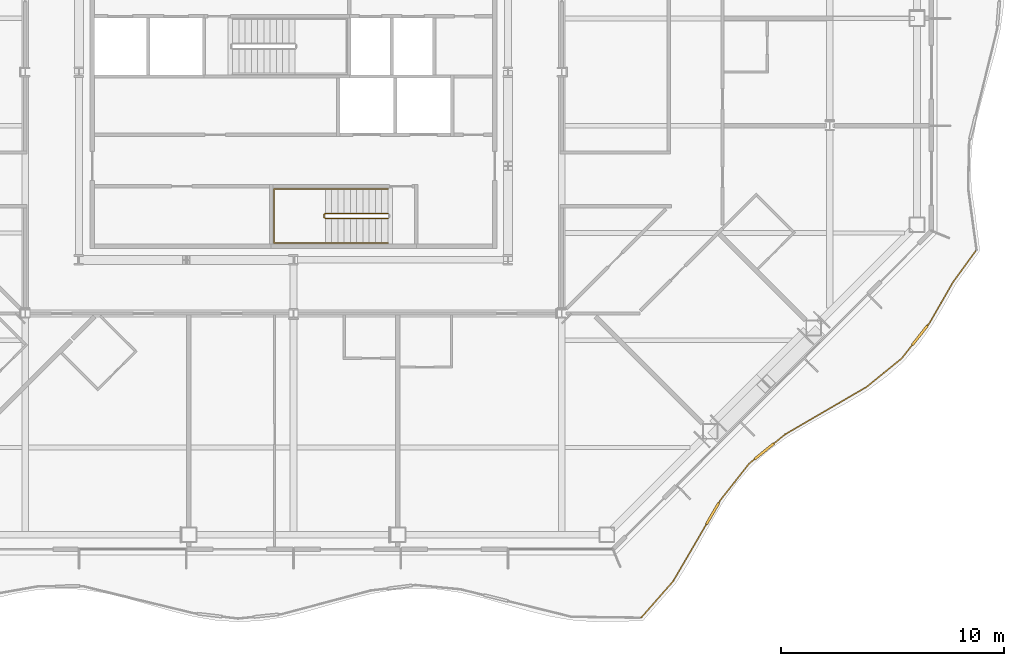
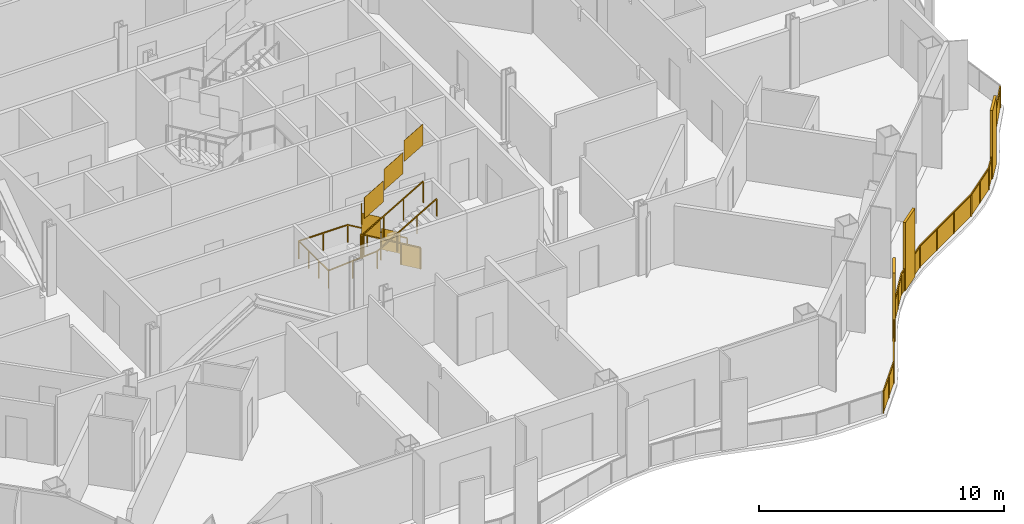
# One storey, part 18 of 22: 3 railings.
"""IFC4 building model written with IfcOpenShell, lengths in metres."""

from ifc_helpers import new_model, si_unit, direction, frame, origin, origin_2d, place, context, subcontext, project, spatial, polyline, rectangle, outline, extrude, material, type_object, element, save


model = new_model("IFC4")

# Units and contexts
model_context = context("Model", 3, precision=1e-05, world=origin(), true_north=direction((0.0, 1.0)))
body_context = subcontext(model_context, "Body", "Model", "MODEL_VIEW")
ifc_project = project(units=[si_unit("LENGTHUNIT", "METRE"), si_unit("AREAUNIT", "SQUARE_METRE"), si_unit("VOLUMEUNIT", "CUBIC_METRE"), si_unit("PLANEANGLEUNIT", "RADIAN"), si_unit("MASSUNIT", "GRAM", prefix="KILO")], contexts=[model_context])

# Site, building, storey
site_placement = place(None, origin())
site = spatial("IfcSite", under=ifc_project, at=site_placement, CompositionType="ELEMENT")
building_placement = place(site_placement, origin())
building = spatial("IfcBuilding", under=site, at=building_placement, Name="Cairn Pilgrim Tower", CompositionType="ELEMENT")
storey_placement = place(building_placement, frame((0.0, 0.0, 147.0)))
storey = spatial("IfcBuildingStorey", under=building, at=storey_placement, Name="L36", CompositionType="ELEMENT", Elevation=147.0)

# Railings
ifc_material_1 = material(Name="Bronze anodised aluminium rail, posts and fin screens with laminated glass infill", Category="aluminium")
railing_type_1 = type_object("IfcRailingType", Name="BALCONY GUARD WITH FIN SCREENS", PredefinedType="GUARDRAIL", material=ifc_material_1)
railing_1_placement = place(storey_placement, frame((22.76025390625, -22.012451171875, 0.0)))
element("IfcRailing", 1, at=railing_1_placement, inside=storey, type_object=railing_type_1, Name="Balcony guard BGF-2 with fin screens", PredefinedType="GUARDRAIL", context=body_context, shape_type="SweptSolid", body=[
    extrude(rectangle(XDim=0.050048828125, YDim=0.050048828125, at=origin_2d()), frame((0.0, 0.0, 1.0751953125), z_axis=(0.659580797082, 0.751633668831, 0.0), x_axis=(-0.751633668831, 0.659580797082, 0.0)), (0.0, 0.0, 1.0), 2.166748046875),
    extrude(rectangle(XDim=1.10009765625, YDim=0.110107421875, at=origin_2d()), frame((3.1953125, 4.65966796875, 0.0), z_axis=(0.0, 0.0, 1.0), x_axis=(0.503456143513, 0.864020781902, 0.0)), (0.0, 0.0, 1.0), 3.39990234375),
    extrude(rectangle(XDim=0.050048828125, YDim=0.050048828125, at=origin_2d()), frame((1.42919921875, 1.628662109375, 1.0751953125), z_axis=(0.503456143513, 0.864020781902, 0.0), x_axis=(-0.864020781902, 0.503456143513, 0.0)), (0.0, 0.0, 1.0), 2.9580078125),
    extrude(rectangle(XDim=0.050048828125, YDim=0.050048828125, at=origin_2d()), frame((3.47216796875, 5.135009765625, 1.0751953125), z_axis=(0.503456143513, 0.864020781902, 0.0), x_axis=(-0.864020781902, 0.503456143513, 0.0)), (0.0, 0.0, 1.0), 0.150146484375),
    extrude(rectangle(XDim=0.050048828125, YDim=0.050048828125, at=origin_2d()), frame((3.5478515625, 5.2646484375, 1.0751953125), z_axis=(0.61848552163, 0.785796194655, 0.0), x_axis=(-0.785796194655, 0.61848552163, 0.0)), (0.0, 0.0, 1.0), 2.077880859375),
    extrude(rectangle(XDim=1.10009765625, YDim=0.110107421875, at=origin_2d()), frame((5.5078125, 7.445068359375, 0.0), z_axis=(0.0, 0.0, 1.0), x_axis=(0.77651313129, 0.630101068825, 0.0)), (0.0, 0.0, 1.0), 3.39990234375),
    extrude(rectangle(XDim=0.050048828125, YDim=0.050048828125, at=origin_2d()), frame((4.8330078125, 6.8974609375, 1.0751953125), z_axis=(0.77651313129, 0.630101068825, 0.0), x_axis=(-0.630101068825, 0.77651313129, 0.0)), (0.0, 0.0, 1.0), 0.31884765625),
    extrude(rectangle(XDim=0.050048828125, YDim=0.050048828125, at=origin_2d()), frame((5.934814453125, 7.79150390625, 1.0751953125), z_axis=(0.77651313129, 0.630101068825, 0.0), x_axis=(-0.630101068825, 0.77651313129, 0.0)), (0.0, 0.0, 1.0), 0.656982421875),
    extrude(rectangle(XDim=0.050048828125, YDim=0.050048828125, at=origin_2d()), frame((6.445068359375, 8.20556640625, 1.0751953125), z_axis=(0.864224185594, 0.503106904181, 0.0), x_axis=(-0.503106904181, 0.864224185594, 0.0)), (0.0, 0.0, 1.0), 4.212646484375),
    extrude(rectangle(XDim=0.050048828125, YDim=0.050048828125, at=origin_2d()), frame((10.085693359375, 10.324951171875, 1.0751953125), z_axis=(0.776472672195, 0.630150925838, 0.0), x_axis=(-0.630150925838, 0.776472672195, 0.0)), (0.0, 0.0, 1.0), 2.018798828125),
    extrude(rectangle(XDim=1.10009765625, YDim=0.110107421875, at=origin_2d()), frame((12.468017578125, 12.63232421875, 0.0), z_axis=(0.0, 0.0, 1.0), x_axis=(0.618391582982, 0.785870122919, 0.0)), (0.0, 0.0, 1.0), 3.39990234375),
    extrude(rectangle(XDim=0.050048828125, YDim=0.050048828125, at=origin_2d()), frame((11.6533203125, 11.59716796875, 1.0751953125), z_axis=(0.618391582982, 0.785870122919, 0.0), x_axis=(-0.785870122919, 0.618391582982, 0.0)), (0.0, 0.0, 1.0), 0.767333984375),
    extrude(rectangle(XDim=0.050048828125, YDim=0.050048828125, at=origin_2d()), frame((12.80810546875, 13.064697265625, 1.0751953125), z_axis=(0.618391582982, 0.785870122919, 0.0), x_axis=(-0.785870122919, 0.618391582982, 0.0)), (0.0, 0.0, 1.0), 0.156005859375),
    extrude(rectangle(XDim=0.050048828125, YDim=0.050048828125, at=origin_2d()), frame((12.904541015625, 13.187255859375, 1.0751953125), z_axis=(0.498246823392, 0.86703523745, 0.0), x_axis=(-0.86703523745, 0.498246823392, 0.0)), (0.0, 0.0, 1.0), 2.1064453125),
    extrude(rectangle(XDim=0.050048828125, YDim=0.050048828125, at=origin_2d()), frame((13.9541015625, 15.013671875, 1.0751953125), z_axis=(0.587438684493, 0.809268677239, 0.0), x_axis=(-0.809268677239, 0.587438684493, 0.0)), (0.0, 0.0, 1.0), 1.723388671875),
    extrude(rectangle(XDim=0.050048828125, YDim=0.050048828125, at=origin_2d()), origin(), (0.0, 0.0, 1.0), 1.050048828125),
    extrude(rectangle(XDim=0.050048828125, YDim=0.050048828125, at=origin_2d()), frame((0.714599609375, 0.814453125, 0.0)), (0.0, 0.0, 1.0), 1.050048828125),
    extrude(rectangle(XDim=0.050048828125, YDim=0.050048828125, at=origin_2d()), frame((1.42919921875, 1.628662109375, 0.0)), (0.0, 0.0, 1.0), 1.050048828125),
    extrude(rectangle(XDim=0.050048828125, YDim=0.050048828125, at=origin_2d()), frame((2.16748046875, 2.895751953125, 0.0)), (0.0, 0.0, 1.0), 1.050048828125),
    extrude(rectangle(XDim=0.050048828125, YDim=0.050048828125, at=origin_2d()), frame((2.90576171875, 4.162841796875, 0.0)), (0.0, 0.0, 1.0), 1.050048828125),
    extrude(rectangle(XDim=0.050048828125, YDim=0.050048828125, at=origin_2d()), frame((3.48486328125, 5.156494140625, 0.0)), (0.0, 0.0, 1.0), 1.050048828125),
    extrude(rectangle(XDim=0.050048828125, YDim=0.050048828125, at=origin_2d()), frame((3.5478515625, 5.2646484375, 0.0)), (0.0, 0.0, 1.0), 1.050048828125),
    extrude(rectangle(XDim=0.050048828125, YDim=0.050048828125, at=origin_2d()), frame((4.1904296875, 6.0810546875, 0.0)), (0.0, 0.0, 1.0), 1.050048828125),
    extrude(rectangle(XDim=0.050048828125, YDim=0.050048828125, at=origin_2d()), frame((4.8330078125, 6.8974609375, 0.0)), (0.0, 0.0, 1.0), 1.050048828125),
    extrude(rectangle(XDim=0.050048828125, YDim=0.050048828125, at=origin_2d()), frame((5.061279296875, 7.082763671875, 0.0)), (0.0, 0.0, 1.0), 1.050048828125),
    extrude(rectangle(XDim=0.050048828125, YDim=0.050048828125, at=origin_2d()), frame((5.954345703125, 7.807373046875, 0.0)), (0.0, 0.0, 1.0), 1.050048828125),
    extrude(rectangle(XDim=0.050048828125, YDim=0.050048828125, at=origin_2d()), frame((6.445068359375, 8.20556640625, 0.0)), (0.0, 0.0, 1.0), 1.050048828125),
    extrude(rectangle(XDim=0.050048828125, YDim=0.050048828125, at=origin_2d()), frame((7.65869140625, 8.912109375, 0.0)), (0.0, 0.0, 1.0), 1.050048828125),
    extrude(rectangle(XDim=0.050048828125, YDim=0.050048828125, at=origin_2d()), frame((8.8720703125, 9.618408203125, 0.0)), (0.0, 0.0, 1.0), 1.050048828125),
    extrude(rectangle(XDim=0.050048828125, YDim=0.050048828125, at=origin_2d()), frame((10.085693359375, 10.324951171875, 0.0)), (0.0, 0.0, 1.0), 1.050048828125),
    extrude(rectangle(XDim=0.050048828125, YDim=0.050048828125, at=origin_2d()), frame((10.86962890625, 10.9609375, 0.0)), (0.0, 0.0, 1.0), 1.050048828125),
    extrude(rectangle(XDim=0.050048828125, YDim=0.050048828125, at=origin_2d()), frame((11.6533203125, 11.59716796875, 0.0)), (0.0, 0.0, 1.0), 1.050048828125),
    extrude(rectangle(XDim=0.050048828125, YDim=0.050048828125, at=origin_2d()), frame((12.1123046875, 12.180419921875, 0.0)), (0.0, 0.0, 1.0), 1.050048828125),
    extrude(rectangle(XDim=0.050048828125, YDim=0.050048828125, at=origin_2d()), frame((12.823486328125, 13.084228515625, 0.0)), (0.0, 0.0, 1.0), 1.050048828125),
    extrude(rectangle(XDim=0.050048828125, YDim=0.050048828125, at=origin_2d()), frame((12.904541015625, 13.187255859375, 0.0)), (0.0, 0.0, 1.0), 1.050048828125),
    extrude(rectangle(XDim=0.050048828125, YDim=0.050048828125, at=origin_2d()), frame((13.42919921875, 14.1005859375, 0.0)), (0.0, 0.0, 1.0), 1.050048828125),
    extrude(rectangle(XDim=0.050048828125, YDim=0.050048828125, at=origin_2d()), frame((13.9541015625, 15.013671875, 0.0)), (0.0, 0.0, 1.0), 1.050048828125),
    extrude(rectangle(XDim=0.050048828125, YDim=0.050048828125, at=origin_2d()), frame((14.966552734375, 16.408447265625, 0.0)), (0.0, 0.0, 1.0), 1.050048828125),
    extrude(outline(polyline([(0.02490234375, 0.0), (1.058349609375, 0.0), (1.058349609375, 1.050048828125), (0.02490234375, 1.050048828125), (0.02490234375, 0.0)])), frame((-0.00439453125, 0.00390625, 0.0), z_axis=(0.751633668831, -0.659580797082, 0.0), x_axis=(0.659580797082, 0.751633668831, 0.0)), (0.0, 0.0, 1.0), 0.011962890625),
    extrude(outline(polyline([(0.02490234375, 0.0), (1.058349609375, 0.0), (1.058349609375, 1.050048828125), (0.02490234375, 1.050048828125), (0.02490234375, 0.0)])), frame((0.710205078125, 0.818359375, 0.0), z_axis=(0.751633668831, -0.659580797082, 0.0), x_axis=(0.659580797082, 0.751633668831, 0.0)), (0.0, 0.0, 1.0), 0.011962890625),
    extrude(outline(polyline([(0.02490234375, 0.0), (1.44140625, 0.0), (1.44140625, 1.050048828125), (0.02490234375, 1.050048828125), (0.02490234375, 0.0)])), frame((1.424072265625, 1.631591796875, 0.0), z_axis=(0.864020781902, -0.503456143513, 0.0), x_axis=(0.503456143513, 0.864020781902, 0.0)), (0.0, 0.0, 1.0), 0.011962890625),
    extrude(outline(polyline([(0.02490234375, 0.0), (1.44140625, 0.0), (1.44140625, 1.050048828125), (0.02490234375, 1.050048828125), (0.02490234375, 0.0)])), frame((2.162353515625, 2.898681640625, 0.0), z_axis=(0.864020781902, -0.503456143513, 0.0), x_axis=(0.503456143513, 0.864020781902, 0.0)), (0.0, 0.0, 1.0), 0.011962890625),
    extrude(outline(polyline([(0.02490234375, 0.0), (0.10009765625, 0.0), (0.10009765625, 1.050048828125), (0.02490234375, 1.050048828125), (0.02490234375, 0.0)])), frame((3.479736328125, 5.15966796875, 0.0), z_axis=(0.864020781902, -0.503456143513, 0.0), x_axis=(0.503456143513, 0.864020781902, 0.0)), (0.0, 0.0, 1.0), 0.011962890625),
    extrude(outline(polyline([(0.02490234375, 0.0), (1.013916015625, 0.0), (1.013916015625, 1.050048828125), (0.02490234375, 1.050048828125), (0.02490234375, 0.0)])), frame((3.543212890625, 5.268310546875, 0.0), z_axis=(0.785796194655, -0.61848552163, 0.0), x_axis=(0.61848552163, 0.785796194655, 0.0)), (0.0, 0.0, 1.0), 0.011962890625),
    extrude(outline(polyline([(0.02490234375, 0.0), (1.013916015625, 0.0), (1.013916015625, 1.050048828125), (0.02490234375, 1.050048828125), (0.02490234375, 0.0)])), frame((4.185791015625, 6.084716796875, 0.0), z_axis=(0.785796194655, -0.61848552163, 0.0), x_axis=(0.61848552163, 0.785796194655, 0.0)), (0.0, 0.0, 1.0), 0.011962890625),
    extrude(outline(polyline([(0.02490234375, 0.0), (0.268798828125, 0.0), (0.268798828125, 1.050048828125), (0.02490234375, 1.050048828125), (0.02490234375, 0.0)])), frame((4.829345703125, 6.902099609375, 0.0), z_axis=(0.630101068825, -0.77651313129, 0.0), x_axis=(0.77651313129, 0.630101068825, 0.0)), (0.0, 0.0, 1.0), 0.011962890625),
    extrude(outline(polyline([(0.02490234375, 0.0), (0.60693359375, 0.0), (0.60693359375, 1.050048828125), (0.02490234375, 1.050048828125), (0.02490234375, 0.0)])), frame((5.950439453125, 7.81201171875, 0.0), z_axis=(0.630101068825, -0.77651313129, 0.0), x_axis=(0.77651313129, 0.630101068825, 0.0)), (0.0, 0.0, 1.0), 0.011962890625),
    extrude(outline(polyline([(0.02490234375, 0.0), (1.379150390625, 0.0), (1.379150390625, 1.050048828125), (0.02490234375, 1.050048828125), (0.02490234375, 0.0)])), frame((6.442138671875, 8.210693359375, 0.0), z_axis=(0.503106904181, -0.864224185594, 0.0), x_axis=(0.864224185594, 0.503106904181, 0.0)), (0.0, 0.0, 1.0), 0.011962890625),
    extrude(outline(polyline([(0.02490234375, 0.0), (1.379150390625, 0.0), (1.379150390625, 1.050048828125), (0.02490234375, 1.050048828125), (0.02490234375, 0.0)])), frame((7.655517578125, 8.917236328125, 0.0), z_axis=(0.503106904181, -0.864224185594, 0.0), x_axis=(0.864224185594, 0.503106904181, 0.0)), (0.0, 0.0, 1.0), 0.011962890625),
    extrude(outline(polyline([(0.02490234375, 0.0), (1.379150390625, 0.0), (1.379150390625, 1.050048828125), (0.02490234375, 1.050048828125), (0.02490234375, 0.0)])), frame((8.869140625, 9.623779296875, 0.0), z_axis=(0.503106904181, -0.864224185594, 0.0), x_axis=(0.864224185594, 0.503106904181, 0.0)), (0.0, 0.0, 1.0), 0.011962890625),
    extrude(outline(polyline([(0.02490234375, 0.0), (0.984375, 0.0), (0.984375, 1.050048828125), (0.02490234375, 1.050048828125), (0.02490234375, 0.0)])), frame((10.08203125, 10.32958984375, 0.0), z_axis=(0.630150925838, -0.776472672195, 0.0), x_axis=(0.776472672195, 0.630150925838, 0.0)), (0.0, 0.0, 1.0), 0.011962890625),
    extrude(outline(polyline([(0.02490234375, 0.0), (0.984375, 0.0), (0.984375, 1.050048828125), (0.02490234375, 1.050048828125), (0.02490234375, 0.0)])), frame((10.86572265625, 10.9658203125, 0.0), z_axis=(0.630150925838, -0.776472672195, 0.0), x_axis=(0.776472672195, 0.630150925838, 0.0)), (0.0, 0.0, 1.0), 0.011962890625),
    extrude(outline(polyline([(0.02490234375, 0.0), (0.71728515625, 0.0), (0.71728515625, 1.050048828125), (0.02490234375, 1.050048828125), (0.02490234375, 0.0)])), frame((11.648681640625, 11.600830078125, 0.0), z_axis=(0.785870122919, -0.618391582982, 0.0), x_axis=(0.618391582982, 0.785870122919, 0.0)), (0.0, 0.0, 1.0), 0.011962890625),
    extrude(outline(polyline([(0.02490234375, 0.0), (0.10595703125, 0.0), (0.10595703125, 1.050048828125), (0.02490234375, 1.050048828125), (0.02490234375, 0.0)])), frame((12.81884765625, 13.087890625, 0.0), z_axis=(0.785870122919, -0.618391582982, 0.0), x_axis=(0.618391582982, 0.785870122919, 0.0)), (0.0, 0.0, 1.0), 0.011962890625),
    extrude(outline(polyline([(0.02490234375, 0.0), (1.0283203125, 0.0), (1.0283203125, 1.050048828125), (0.02490234375, 1.050048828125), (0.02490234375, 0.0)])), frame((12.8994140625, 13.190185546875, 0.0), z_axis=(0.86703523745, -0.498246823392, 0.0), x_axis=(0.498246823392, 0.86703523745, 0.0)), (0.0, 0.0, 1.0), 0.011962890625),
    extrude(outline(polyline([(0.02490234375, 0.0), (1.0283203125, 0.0), (1.0283203125, 1.050048828125), (0.02490234375, 1.050048828125), (0.02490234375, 0.0)])), frame((13.424072265625, 14.103515625, 0.0), z_axis=(0.86703523745, -0.498246823392, 0.0), x_axis=(0.498246823392, 0.86703523745, 0.0)), (0.0, 0.0, 1.0), 0.011962890625),
    extrude(outline(polyline([(0.02490234375, 0.0), (1.698486328125, 0.0), (1.698486328125, 1.050048828125), (0.02490234375, 1.050048828125), (0.02490234375, 0.0)])), frame((13.94921875, 15.01708984375, 0.0), z_axis=(0.809268677239, -0.587438684493, 0.0), x_axis=(0.587438684493, 0.809268677239, 0.0)), (0.0, 0.0, 1.0), 0.011962890625),
])
ifc_material_2 = material(Name="Painted steel", Category="steel")
railing_type_2 = type_object("IfcRailingType", Name="STAIR GUARD 1100", PredefinedType="GUARDRAIL", material=ifc_material_2)
railing_2_placement = place(storey_placement, frame((11.425048828125, -3.925048828125, 0.16357421875)))
element("IfcRailing", 2, at=railing_2_placement, inside=storey, type_object=railing_type_2, Name="L36 ST-A stair guard 1", PredefinedType="GUARDRAIL", context=body_context, shape_type="SweptSolid", body=[
    extrude(rectangle(XDim=0.048095703125, YDim=0.048095703125, at=origin_2d()), frame((0.0, 0.0, 1.076171875), z_axis=(-0.863360870873, 0.0, 0.504586966384), x_axis=(0.0, -1.0, 0.0)), (0.0, 0.0, 1.0), 3.2431640625),
    extrude(rectangle(XDim=0.048095703125, YDim=0.048095703125, at=origin_2d()), frame((-2.800048828125, 0.0, 2.71240234375), z_axis=(-0.707106781187, -0.707106781187, 0.0), x_axis=(0.707106781187, -0.707106781187, 0.0)), (0.0, 0.0, 1.0), 0.07080078125),
    extrude(rectangle(XDim=0.048095703125, YDim=0.048095703125, at=origin_2d()), frame((-2.85009765625, -0.050048828125, 2.71240234375), z_axis=(0.0, -1.0, 0.0), x_axis=(1.0, 0.0, 0.0)), (0.0, 0.0, 1.0), 0.125),
    extrude(rectangle(XDim=0.048095703125, YDim=0.048095703125, at=origin_2d()), frame((-2.85009765625, -0.175048828125, 2.71240234375), z_axis=(0.280916556609, -0.279546231943, 0.91811752648), x_axis=(0.705375805398, 0.708833529934, 0.0)), (0.0, 0.0, 1.0), 0.17822265625),
    extrude(rectangle(XDim=0.048095703125, YDim=0.048095703125, at=origin_2d()), frame((-2.800048828125, -0.224853515625, 2.8759765625), z_axis=(0.863360870873, 0.0, 0.504586966384), x_axis=(0.0, 1.0, 0.0)), (0.0, 0.0, 1.0), 3.2431640625),
    extrude(rectangle(XDim=0.0419921875, YDim=0.0419921875, at=origin_2d()), origin(), (0.0, 0.0, 1.0), 1.052001953125),
    extrude(rectangle(XDim=0.0419921875, YDim=0.0419921875, at=origin_2d()), frame((-0.933349609375, 0.0, 0.54541015625)), (0.0, 0.0, 1.0), 1.052001953125),
    extrude(rectangle(XDim=0.0419921875, YDim=0.0419921875, at=origin_2d()), frame((-1.86669921875, 0.0, 1.091064453125)), (0.0, 0.0, 1.0), 1.052001953125),
    extrude(rectangle(XDim=0.0419921875, YDim=0.0419921875, at=origin_2d()), frame((-2.800048828125, 0.0, 1.636474609375)), (0.0, 0.0, 1.0), 1.052001953125),
    extrude(rectangle(XDim=0.0419921875, YDim=0.0419921875, at=origin_2d()), frame((-2.85009765625, -0.050048828125, 1.636474609375)), (0.0, 0.0, 1.0), 1.052001953125),
    extrude(rectangle(XDim=0.0419921875, YDim=0.0419921875, at=origin_2d()), frame((-2.85009765625, -0.175048828125, 1.636474609375)), (0.0, 0.0, 1.0), 1.052001953125),
    extrude(rectangle(XDim=0.0419921875, YDim=0.0419921875, at=origin_2d()), frame((-2.800048828125, -0.224853515625, 1.800048828125)), (0.0, 0.0, 1.0), 1.052001953125),
    extrude(rectangle(XDim=0.0419921875, YDim=0.0419921875, at=origin_2d()), frame((-1.86669921875, -0.224853515625, 2.345458984375)), (0.0, 0.0, 1.0), 1.052001953125),
    extrude(rectangle(XDim=0.0419921875, YDim=0.0419921875, at=origin_2d()), frame((-0.933349609375, -0.224853515625, 2.89111328125)), (0.0, 0.0, 1.0), 1.052001953125),
    extrude(rectangle(XDim=0.0419921875, YDim=0.0419921875, at=origin_2d()), frame((0.0, -0.224853515625, 3.4365234375)), (0.0, 0.0, 1.0), 1.052001953125),
    extrude(outline(polyline([(0.02099609375, 0.01220703125), (0.912353515625, 0.533203125), (0.912353515625, 1.585205078125), (0.02099609375, 1.064208984375), (0.02099609375, 0.01220703125)])), frame((0.0, -0.005859375, 0.0), z_axis=(0.0, 1.0, 0.0), x_axis=(-1.0, 0.0, 0.0)), (0.0, 0.0, 1.0), 0.011962890625),
    extrude(outline(polyline([(0.02099609375, 0.557861328125), (0.912353515625, 1.07861328125), (0.912353515625, 2.130615234375), (0.02099609375, 1.60986328125), (0.02099609375, 0.557861328125)])), frame((-0.933349609375, -0.005859375, 0.54541015625), z_axis=(0.0, 1.0, 0.0), x_axis=(-1.0, 0.0, 0.0)), (0.0, 0.0, 1.0), 0.011962890625),
    extrude(outline(polyline([(0.02099609375, 1.103271484375), (0.912353515625, 1.624267578125), (0.912353515625, 2.67626953125), (0.02099609375, 2.1552734375), (0.02099609375, 1.103271484375)])), frame((-1.86669921875, -0.005859375, 1.091064453125), z_axis=(0.0, 1.0, 0.0), x_axis=(-1.0, 0.0, 0.0)), (0.0, 0.0, 1.0), 0.011962890625),
    extrude(outline(polyline([(0.02099609375, 1.636474609375), (0.10400390625, 1.636474609375), (0.10400390625, 2.6884765625), (0.02099609375, 2.6884765625), (0.02099609375, 1.636474609375)])), frame((-2.84423828125, -0.050048828125, 1.636474609375), z_axis=(-1.0, 0.0, 0.0), x_axis=(0.0, -1.0, 0.0)), (0.0, 0.0, 1.0), 0.011962890625),
    extrude(outline(polyline([(0.02099609375, 1.812255859375), (0.912353515625, 2.333251953125), (0.912353515625, 3.38525390625), (0.02099609375, 2.8642578125), (0.02099609375, 1.812255859375)])), frame((-2.800048828125, -0.21875, 1.800048828125), z_axis=(0.0, -1.0, 0.0), x_axis=(1.0, 0.0, 0.0)), (0.0, 0.0, 1.0), 0.011962890625),
    extrude(outline(polyline([(0.02099609375, 2.35791015625), (0.912353515625, 2.878662109375), (0.912353515625, 3.9306640625), (0.02099609375, 3.409912109375), (0.02099609375, 2.35791015625)])), frame((-1.86669921875, -0.21875, 2.345458984375), z_axis=(0.0, -1.0, 0.0), x_axis=(1.0, 0.0, 0.0)), (0.0, 0.0, 1.0), 0.011962890625),
    extrude(outline(polyline([(0.02099609375, 2.9033203125), (0.912353515625, 3.42431640625), (0.912353515625, 4.476318359375), (0.02099609375, 3.955322265625), (0.02099609375, 2.9033203125)])), frame((-0.933349609375, -0.21875, 2.89111328125), z_axis=(0.0, -1.0, 0.0), x_axis=(1.0, 0.0, 0.0)), (0.0, 0.0, 1.0), 0.011962890625),
])
railing_type_3 = type_object("IfcRailingType", Name="STAIR HANDRAIL 900", PredefinedType="HANDRAIL", material=ifc_material_2)
railing_3_placement = place(storey_placement, frame((11.425048828125, -2.824951171875, 0.16357421875)))
element("IfcRailing", 3, at=railing_3_placement, inside=storey, type_object=railing_type_3, Name="L36 ST-A stair handrail 1", PredefinedType="HANDRAIL", context=body_context, shape_type="SweptSolid", body=[
    extrude(rectangle(XDim=0.048095703125, YDim=0.048095703125, at=origin_2d()), frame((0.0, 0.0, 0.8759765625), z_axis=(-0.863360870873, 0.0, 0.504586966384), x_axis=(0.0, -1.0, 0.0)), (0.0, 0.0, 1.0), 3.2431640625),
    extrude(rectangle(XDim=0.048095703125, YDim=0.048095703125, at=origin_2d()), frame((-2.800048828125, 0.0, 2.51220703125), z_axis=(-1.0, 0.0, 0.0), x_axis=(0.0, -1.0, 0.0)), (0.0, 0.0, 1.0), 2.300048828125),
    extrude(rectangle(XDim=0.048095703125, YDim=0.048095703125, at=origin_2d()), frame((-5.10009765625, 0.0, 2.51220703125), z_axis=(0.0, -1.0, 0.0), x_axis=(1.0, 0.0, 0.0)), (0.0, 0.0, 1.0), 2.425048828125),
    extrude(rectangle(XDim=0.048095703125, YDim=0.048095703125, at=origin_2d()), frame((-5.10009765625, -2.425048828125, 2.51220703125), z_axis=(0.997480687736, 0.0, 0.070938548008), x_axis=(0.0, 1.0, 0.0)), (0.0, 0.0, 1.0), 2.305908203125),
    extrude(rectangle(XDim=0.048095703125, YDim=0.048095703125, at=origin_2d()), frame((-2.800048828125, -2.425048828125, 2.67578125), z_axis=(0.863360870873, 0.0, 0.504586966384), x_axis=(0.0, 1.0, 0.0)), (0.0, 0.0, 1.0), 3.2431640625),
    extrude(rectangle(XDim=0.0419921875, YDim=0.0419921875, at=origin_2d()), origin(), (0.0, 0.0, 1.0), 0.851806640625),
    extrude(rectangle(XDim=0.0419921875, YDim=0.0419921875, at=origin_2d()), frame((-0.933349609375, 0.0, 0.54541015625)), (0.0, 0.0, 1.0), 0.851806640625),
    extrude(rectangle(XDim=0.0419921875, YDim=0.0419921875, at=origin_2d()), frame((-1.86669921875, 0.0, 1.091064453125)), (0.0, 0.0, 1.0), 0.851806640625),
    extrude(rectangle(XDim=0.0419921875, YDim=0.0419921875, at=origin_2d()), frame((-2.800048828125, 0.0, 1.636474609375)), (0.0, 0.0, 1.0), 0.851806640625),
    extrude(rectangle(XDim=0.0419921875, YDim=0.0419921875, at=origin_2d()), frame((-3.9501953125, 0.0, 1.636474609375)), (0.0, 0.0, 1.0), 0.851806640625),
    extrude(rectangle(XDim=0.0419921875, YDim=0.0419921875, at=origin_2d()), frame((-5.10009765625, 0.0, 1.636474609375)), (0.0, 0.0, 1.0), 0.851806640625),
    extrude(rectangle(XDim=0.0419921875, YDim=0.0419921875, at=origin_2d()), frame((-5.10009765625, -0.808349609375, 1.636474609375)), (0.0, 0.0, 1.0), 0.851806640625),
    extrude(rectangle(XDim=0.0419921875, YDim=0.0419921875, at=origin_2d()), frame((-5.10009765625, -1.61669921875, 1.636474609375)), (0.0, 0.0, 1.0), 0.851806640625),
    extrude(rectangle(XDim=0.0419921875, YDim=0.0419921875, at=origin_2d()), frame((-5.10009765625, -2.425048828125, 1.636474609375)), (0.0, 0.0, 1.0), 0.851806640625),
    extrude(rectangle(XDim=0.0419921875, YDim=0.0419921875, at=origin_2d()), frame((-3.9501953125, -2.425048828125, 1.71826171875)), (0.0, 0.0, 1.0), 0.851806640625),
    extrude(rectangle(XDim=0.0419921875, YDim=0.0419921875, at=origin_2d()), frame((-2.800048828125, -2.425048828125, 1.800048828125)), (0.0, 0.0, 1.0), 0.851806640625),
    extrude(rectangle(XDim=0.0419921875, YDim=0.0419921875, at=origin_2d()), frame((-1.86669921875, -2.425048828125, 2.345458984375)), (0.0, 0.0, 1.0), 0.851806640625),
    extrude(rectangle(XDim=0.0419921875, YDim=0.0419921875, at=origin_2d()), frame((-0.933349609375, -2.425048828125, 2.89111328125)), (0.0, 0.0, 1.0), 0.851806640625),
    extrude(rectangle(XDim=0.0419921875, YDim=0.0419921875, at=origin_2d()), frame((0.0, -2.425048828125, 3.4365234375)), (0.0, 0.0, 1.0), 0.851806640625),
])

save(model, "model.ifc")
